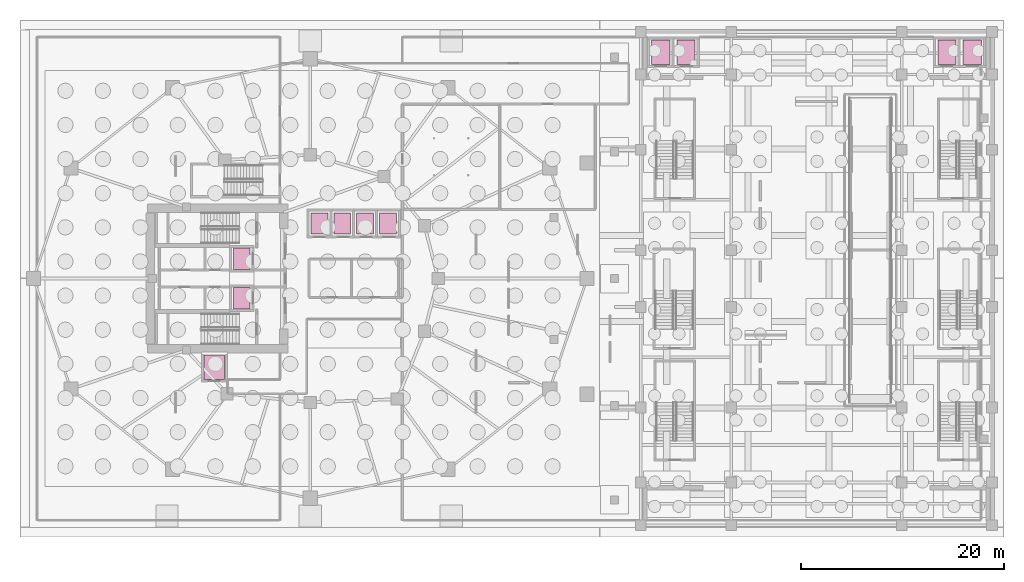
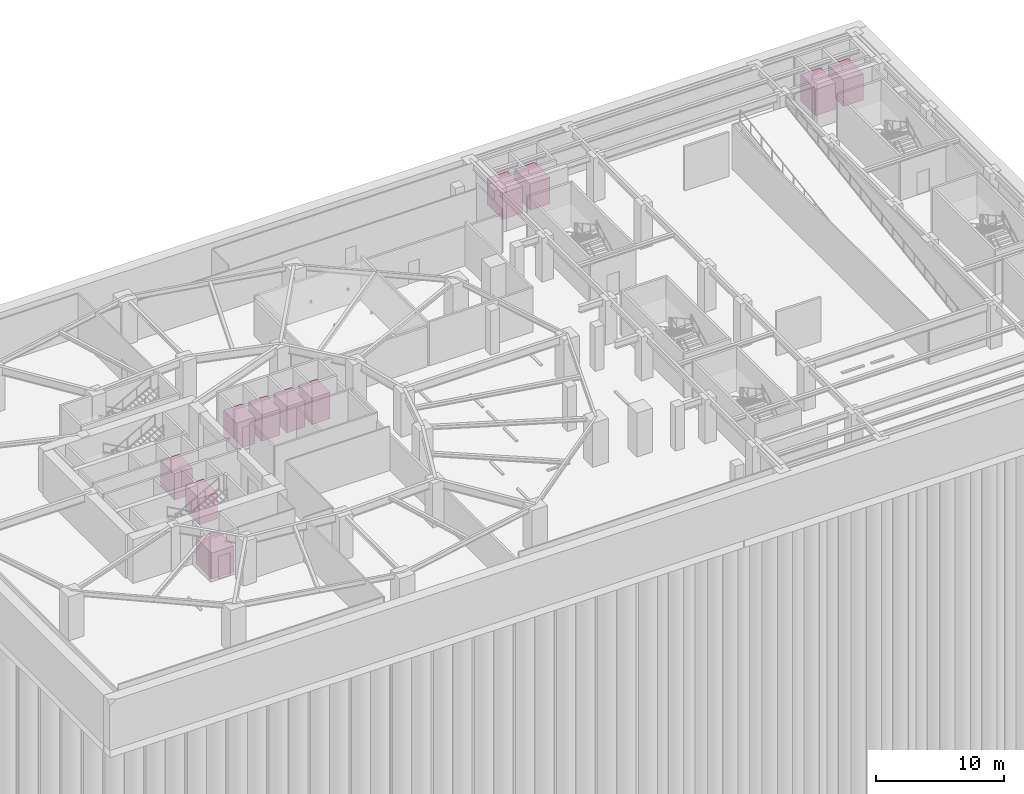
# One storey, part 19 of 19: 11 transport elements.
"""IFC4 building model written with IfcOpenShell, lengths in metres."""

from ifc_helpers import new_model, si_unit, direction, frame, origin, origin_2d, place, context, subcontext, project, spatial, rectangle, extrude, material, type_object, element, save


model = new_model("IFC4")

# Units and contexts
model_context = context("Model", 3, precision=1e-05, world=origin(), true_north=direction((0.0, 1.0)))
body_context = subcontext(model_context, "Body", "Model", "MODEL_VIEW")
ifc_project = project(units=[si_unit("LENGTHUNIT", "METRE"), si_unit("AREAUNIT", "SQUARE_METRE"), si_unit("VOLUMEUNIT", "CUBIC_METRE"), si_unit("PLANEANGLEUNIT", "RADIAN"), si_unit("MASSUNIT", "GRAM", prefix="KILO")], contexts=[model_context])

# Site, building, storey
site_placement = place(None, origin())
site = spatial("IfcSite", under=ifc_project, at=site_placement, CompositionType="ELEMENT")
building_placement = place(site_placement, origin())
building = spatial("IfcBuilding", under=site, at=building_placement, Name="Kolvaren Gate Tower and Convention Centre", CompositionType="ELEMENT")
storey_placement = place(building_placement, frame((0.0, 0.0, -13.5)))
storey = spatial("IfcBuildingStorey", under=building, at=storey_placement, Name="B3", CompositionType="ELEMENT", Elevation=-13.5)

# Transport elements
ifc_material = material(Name="Brushed Stainless Steel Grade 316L", Category="steel")
transport_element_type_1 = type_object("IfcTransportElementType", Name="MEP-LIFT-CAR-CONV", PredefinedType="ELEVATOR", material=ifc_material)
for number, where, z_axis, x_axis, name in (
    (1, (64.64990234375, 49.300048828125, 0.0), (0.0, 0.0, 1.0), (1.0, 0.0, 0.0), "Elevator CL-01"),
    (2, (67.14990234375, 49.300048828125, 0.0), (0.0, 0.0, 1.0), (1.0, 0.0, 0.0), "Elevator CL-02"),
    (3, (92.85009765625, 49.300048828125, 0.0), (0.0, 0.0, 1.0), (1.0, 0.0, 0.0), "Elevator CL-03"),
    (4, (95.35009765625, 49.300048828125, 0.0), (0.0, 0.0, 1.0), (1.0, 0.0, 0.0), "Elevator CL-04"),
):
    element("IfcTransportElement", number, at=place(storey_placement, frame(where, z_axis=z_axis, x_axis=x_axis)), inside=storey, type_object=transport_element_type_1, Name=name, PredefinedType="ELEVATOR", context=body_context, shape_type="SweptSolid", body=[
        extrude(rectangle(XDim=1.800048828125, YDim=2.39990234375, at=origin_2d()), origin(), (0.0, 0.0, 1.0), 2.5),
    ])
transport_element_type_2 = type_object("IfcTransportElementType", Name="MEP-LIFT-CAR-FF", PredefinedType="ELEVATOR", material=ifc_material)
for number, where, z_axis, x_axis, name in (
    (5, (23.375, 28.93994140625, 0.0), (0.0, 0.0, 1.0), (1.0, 0.0, 0.0), "Firefighting Elevator FF-01"),
    (6, (23.375, 25.06005859375, 0.0), (0.0, 0.0, 1.0), (1.0, 0.0, 0.0), "Firefighting Elevator FF-02"),
):
    element("IfcTransportElement", number, at=place(storey_placement, frame(where, z_axis=z_axis, x_axis=x_axis)), inside=storey, type_object=transport_element_type_2, Name=name, PredefinedType="ELEVATOR", context=body_context, shape_type="SweptSolid", body=[
        extrude(rectangle(XDim=1.64990234375, YDim=2.139892578125, at=origin_2d()), origin(), (0.0, 0.0, 1.0), 2.5),
    ])
transport_element_type_3 = type_object("IfcTransportElementType", Name="MEP-LIFT-CAR-PASS", PredefinedType="ELEVATOR", material=ifc_material)
for number, where, z_axis, x_axis, name in (
    (7, (31.02490234375, 32.425048828125, 0.0), (0.0, 0.0, 1.0), (1.0, 0.0, 0.0), "Elevator PL-01"),
    (8, (33.27490234375, 32.425048828125, 0.0), (0.0, 0.0, 1.0), (1.0, 0.0, 0.0), "Elevator PL-02"),
    (9, (35.52490234375, 32.425048828125, 0.0), (0.0, 0.0, 1.0), (1.0, 0.0, 0.0), "Elevator PL-03"),
    (10, (37.77490234375, 32.425048828125, 0.0), (0.0, 0.0, 1.0), (1.0, 0.0, 0.0), "Elevator PL-04"),
):
    element("IfcTransportElement", number, at=place(storey_placement, frame(where, z_axis=z_axis, x_axis=x_axis)), inside=storey, type_object=transport_element_type_3, Name=name, PredefinedType="ELEVATOR", context=body_context, shape_type="SweptSolid", body=[
        extrude(rectangle(XDim=1.64990234375, YDim=2.10009765625, at=origin_2d()), origin(), (0.0, 0.0, 1.0), 2.5),
    ])
transport_element_type_4 = type_object("IfcTransportElementType", Name="MEP-LIFT-CAR-SVC", PredefinedType="ELEVATOR", material=ifc_material)
transport_element_placement = place(storey_placement, frame((20.675048828125, 18.27490234375, 0.0), z_axis=(0.0, 0.0, 1.0), x_axis=(1.0, 0.0, 0.0)))
element("IfcTransportElement", 11, at=transport_element_placement, inside=storey, type_object=transport_element_type_4, Name="Goods and Service Elevator SV-01", PredefinedType="ELEVATOR", context=body_context, shape_type="SweptSolid", body=[
    extrude(rectangle(XDim=2.0, YDim=2.39990234375, at=origin_2d()), origin(), (0.0, 0.0, 1.0), 2.5),
])

save(model, "model.ifc")
